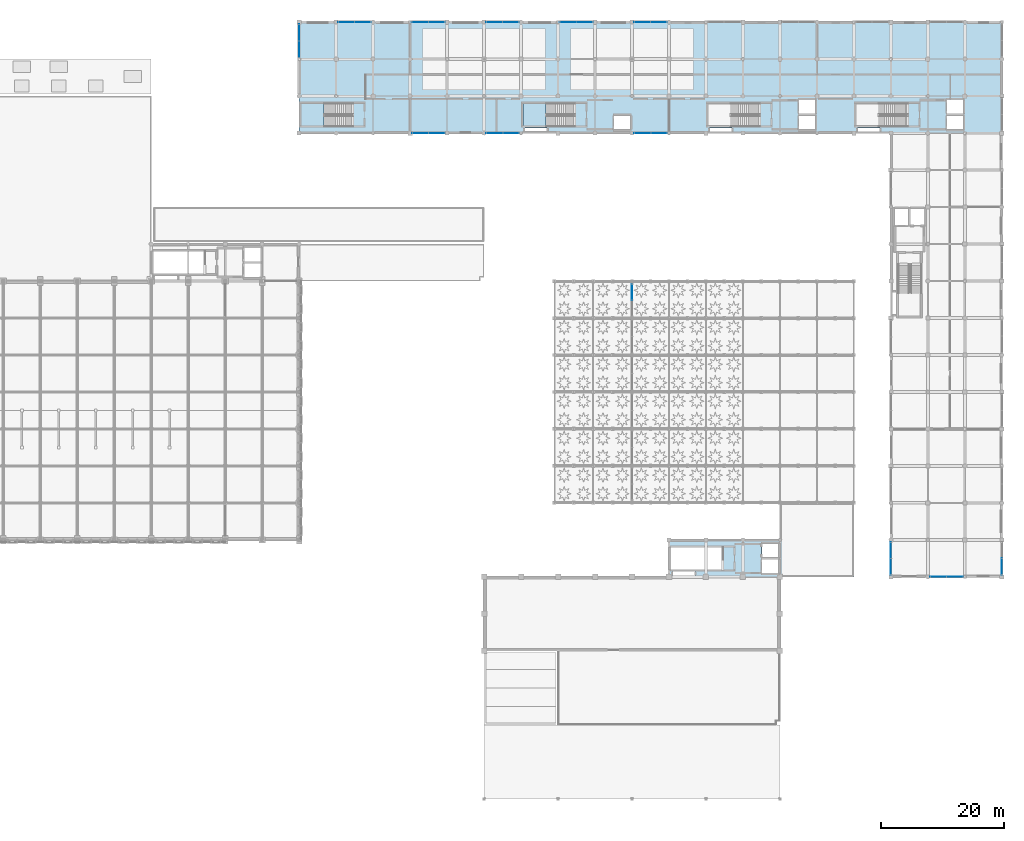
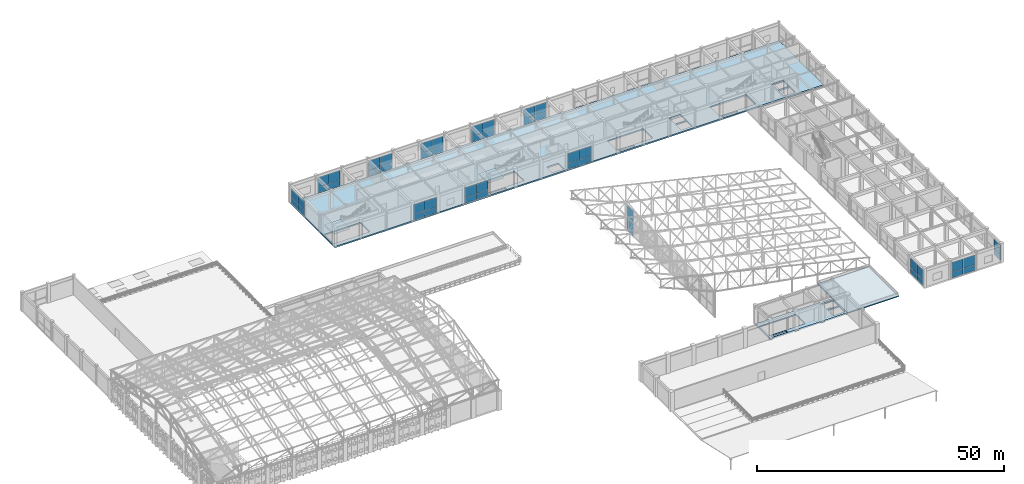
# One storey, part 83 of 112: 48 plates, 5 slabs, 15 elements without a shape of their own.
"""IFC4 building model written with IfcOpenShell, lengths in metres."""

from ifc_helpers import new_model, si_unit, direction, frame, frame_2d, origin, place, context, subcontext, project, spatial, polyline, rectangle, outline, extrude, material, layer, layer_set, type_object, element, aggregate, save


model = new_model("IFC4")

# Units and contexts
model_context = context("Model", 3, precision=1e-05, world=origin(), true_north=direction((0.0, 1.0)))
body_context = subcontext(model_context, "Body", "Model", "MODEL_VIEW")
ifc_project = project(units=[si_unit("LENGTHUNIT", "METRE"), si_unit("AREAUNIT", "SQUARE_METRE"), si_unit("VOLUMEUNIT", "CUBIC_METRE"), si_unit("PLANEANGLEUNIT", "RADIAN"), si_unit("MASSUNIT", "GRAM", prefix="KILO"), si_unit("THERMODYNAMICTEMPERATUREUNIT", "KELVIN"), si_unit("POWERUNIT", "WATT")], contexts=[model_context])

# Site, building, storey
site_placement = place(None, origin())
site = spatial("IfcSite", under=ifc_project, at=site_placement, CompositionType="ELEMENT")
building_placement = place(site_placement, origin())
building = spatial("IfcBuilding", under=site, at=building_placement, Name="Phaisarnlok Congress Hotel", CompositionType="ELEMENT")
storey_placement = place(building_placement, frame((0.0, 0.0, 19.800048828125)))
storey = spatial("IfcBuildingStorey", under=building, at=storey_placement, Name="L04", CompositionType="ELEMENT", Elevation=19.800048828125)

# Curtain wall, plates
ifc_material_1 = material(Name="Thermally Broken Unitised Aluminium & Low-E Glazing", Category="aluminium")
curtain_wall_type_1 = type_object("IfcCurtainWallType", Name="CW-UNIT-33", PredefinedType="NOTDEFINED", material=ifc_material_1)
curtain_wall_1_placement = place(storey_placement, origin())
curtain_wall_1 = element("IfcCurtainWall", 1, at=curtain_wall_1_placement, inside=storey, type_object=curtain_wall_type_1, Name="Unitised curtain wall CW-33 (L04)", PredefinedType="NOTDEFINED")
ifc_material_2 = material(Name="Double Low-E Insulated Glazing", Category="glass")
ifc_layer_1 = layer(ifc_material_2, 0.028076171875, Name="Double Low-E Insulated Glazing")
ifc_layer_set_1 = layer_set([ifc_layer_1], Name="Double Low-E Insulated Glazing")
plate_type_1 = type_object("IfcPlateType", Name="CWP-GLZ-28", PredefinedType="CURTAIN_PANEL", material=ifc_layer_set_1)
plate_1_placement = place(storey_placement, frame((84.375, 108.0, 0.0400390625), z_axis=(0.0, 0.0, 1.0), x_axis=(1.0, 0.0, 0.0)))
plate_1 = element("IfcPlate", 2, at=plate_1_placement, type_object=plate_type_1, Name="Glazed curtain panel CWP-01", PredefinedType="CURTAIN_PANEL", context=body_context, shape_type="SweptSolid", body=[
    extrude(rectangle(XDim=2.62255859375, YDim=0.028076171875, at=frame_2d((1.311279296875, 0.0))), origin(), (0.0, 0.0, 1.0), 1.44189453125),
])
plate_2_placement = place(storey_placement, frame((84.375, 108.0, 1.48193359375), z_axis=(0.0, 0.0, 1.0), x_axis=(1.0, 0.0, 0.0)))
plate_2 = element("IfcPlate", 3, at=plate_2_placement, type_object=plate_type_1, Name="Glazed curtain panel CWP-01", PredefinedType="CURTAIN_PANEL", context=body_context, shape_type="SweptSolid", body=[
    extrude(rectangle(XDim=2.62255859375, YDim=0.028076171875, at=frame_2d((1.311279296875, 0.0))), origin(), (0.0, 0.0, 1.0), 2.3779296875),
])
plate_3_placement = place(storey_placement, frame((87.027587890625, 108.0, 0.0400390625), z_axis=(0.0, 0.0, 1.0), x_axis=(1.0, 0.0, 0.0)))
plate_3 = element("IfcPlate", 4, at=plate_3_placement, type_object=plate_type_1, Name="Glazed curtain panel CWP-01", PredefinedType="CURTAIN_PANEL", context=body_context, shape_type="SweptSolid", body=[
    extrude(rectangle(XDim=2.622314453125, YDim=0.028076171875, at=frame_2d((1.31103515625, 0.0))), origin(), (0.0, 0.0, 1.0), 1.44189453125),
])
plate_4_placement = place(storey_placement, frame((87.027587890625, 108.0, 1.48193359375), z_axis=(0.0, 0.0, 1.0), x_axis=(1.0, 0.0, 0.0)))
plate_4 = element("IfcPlate", 5, at=plate_4_placement, type_object=plate_type_1, Name="Glazed curtain panel CWP-01", PredefinedType="CURTAIN_PANEL", context=body_context, shape_type="SweptSolid", body=[
    extrude(rectangle(XDim=2.622314453125, YDim=0.028076171875, at=frame_2d((1.31103515625, 0.0))), origin(), (0.0, 0.0, 1.0), 2.3779296875),
])
aggregate(curtain_wall_1, [plate_1, plate_2, plate_3, plate_4])

curtain_wall_type_2 = type_object("IfcCurtainWallType", Name="CW-UNIT-34", PredefinedType="NOTDEFINED", material=ifc_material_1)
curtain_wall_2_placement = place(storey_placement, origin())
curtain_wall_2 = element("IfcCurtainWall", 6, at=curtain_wall_2_placement, inside=storey, type_object=curtain_wall_type_2, Name="Unitised curtain wall CW-34 (L04)", PredefinedType="NOTDEFINED")
plate_5_placement = place(storey_placement, frame((96.375, 108.0, 0.0400390625), z_axis=(0.0, 0.0, 1.0), x_axis=(1.0, 0.0, 0.0)))
plate_5 = element("IfcPlate", 7, at=plate_5_placement, type_object=plate_type_1, Name="Glazed curtain panel CWP-01", PredefinedType="CURTAIN_PANEL", context=body_context, shape_type="SweptSolid", body=[
    extrude(rectangle(XDim=2.657958984375, YDim=0.028076171875, at=frame_2d((1.3291015625, 0.0))), origin(), (0.0, 0.0, 1.0), 1.44189453125),
])
plate_6_placement = place(storey_placement, frame((96.375, 108.0, 1.48193359375), z_axis=(0.0, 0.0, 1.0), x_axis=(1.0, 0.0, 0.0)))
plate_6 = element("IfcPlate", 8, at=plate_6_placement, type_object=plate_type_1, Name="Glazed curtain panel CWP-01", PredefinedType="CURTAIN_PANEL", context=body_context, shape_type="SweptSolid", body=[
    extrude(rectangle(XDim=2.657958984375, YDim=0.028076171875, at=frame_2d((1.3291015625, 0.0))), origin(), (0.0, 0.0, 1.0), 2.3779296875),
])
plate_7_placement = place(storey_placement, frame((99.06298828125, 108.0, 0.0400390625), z_axis=(0.0, 0.0, 1.0), x_axis=(1.0, 0.0, 0.0)))
plate_7 = element("IfcPlate", 9, at=plate_7_placement, type_object=plate_type_1, Name="Glazed curtain panel CWP-01", PredefinedType="CURTAIN_PANEL", context=body_context, shape_type="SweptSolid", body=[
    extrude(rectangle(XDim=2.657958984375, YDim=0.028076171875, at=frame_2d((1.3291015625, 0.0))), origin(), (0.0, 0.0, 1.0), 1.44189453125),
])
plate_8_placement = place(storey_placement, frame((99.06298828125, 108.0, 1.48193359375), z_axis=(0.0, 0.0, 1.0), x_axis=(1.0, 0.0, 0.0)))
plate_8 = element("IfcPlate", 10, at=plate_8_placement, type_object=plate_type_1, Name="Glazed curtain panel CWP-01", PredefinedType="CURTAIN_PANEL", context=body_context, shape_type="SweptSolid", body=[
    extrude(rectangle(XDim=2.657958984375, YDim=0.028076171875, at=frame_2d((1.3291015625, 0.0))), origin(), (0.0, 0.0, 1.0), 2.3779296875),
])
aggregate(curtain_wall_2, [plate_5, plate_6, plate_7, plate_8])

curtain_wall_3_placement = place(storey_placement, origin())
curtain_wall_3 = element("IfcCurtainWall", 11, at=curtain_wall_3_placement, inside=storey, type_object=curtain_wall_type_2, Name="Unitised curtain wall CW-34 (L04)", PredefinedType="NOTDEFINED")
plate_9_placement = place(storey_placement, frame((120.375, 108.0, 0.0400390625), z_axis=(0.0, 0.0, 1.0), x_axis=(1.0, 0.0, 0.0)))
plate_9 = element("IfcPlate", 12, at=plate_9_placement, type_object=plate_type_1, Name="Glazed curtain panel CWP-01", PredefinedType="CURTAIN_PANEL", context=body_context, shape_type="SweptSolid", body=[
    extrude(rectangle(XDim=2.657958984375, YDim=0.028076171875, at=frame_2d((1.3291015625, 0.0))), origin(), (0.0, 0.0, 1.0), 1.44189453125),
])
plate_10_placement = place(storey_placement, frame((120.375, 108.0, 1.48193359375), z_axis=(0.0, 0.0, 1.0), x_axis=(1.0, 0.0, 0.0)))
plate_10 = element("IfcPlate", 13, at=plate_10_placement, type_object=plate_type_1, Name="Glazed curtain panel CWP-01", PredefinedType="CURTAIN_PANEL", context=body_context, shape_type="SweptSolid", body=[
    extrude(rectangle(XDim=2.657958984375, YDim=0.028076171875, at=frame_2d((1.3291015625, 0.0))), origin(), (0.0, 0.0, 1.0), 2.3779296875),
])
plate_11_placement = place(storey_placement, frame((123.06298828125, 108.0, 0.0400390625), z_axis=(0.0, 0.0, 1.0), x_axis=(1.0, 0.0, 0.0)))
plate_11 = element("IfcPlate", 14, at=plate_11_placement, type_object=plate_type_1, Name="Glazed curtain panel CWP-01", PredefinedType="CURTAIN_PANEL", context=body_context, shape_type="SweptSolid", body=[
    extrude(rectangle(XDim=2.657958984375, YDim=0.028076171875, at=frame_2d((1.3291015625, 0.0))), origin(), (0.0, 0.0, 1.0), 1.44189453125),
])
plate_12_placement = place(storey_placement, frame((123.06298828125, 108.0, 1.48193359375), z_axis=(0.0, 0.0, 1.0), x_axis=(1.0, 0.0, 0.0)))
plate_12 = element("IfcPlate", 15, at=plate_12_placement, type_object=plate_type_1, Name="Glazed curtain panel CWP-01", PredefinedType="CURTAIN_PANEL", context=body_context, shape_type="SweptSolid", body=[
    extrude(rectangle(XDim=2.657958984375, YDim=0.028076171875, at=frame_2d((1.3291015625, 0.0))), origin(), (0.0, 0.0, 1.0), 2.3779296875),
])
aggregate(curtain_wall_3, [plate_9, plate_10, plate_11, plate_12])

curtain_wall_type_3 = type_object("IfcCurtainWallType", Name="CW-UNIT-35", PredefinedType="NOTDEFINED", material=ifc_material_1)
curtain_wall_4_placement = place(storey_placement, origin())
curtain_wall_4 = element("IfcCurtainWall", 16, at=curtain_wall_4_placement, inside=storey, type_object=curtain_wall_type_3, Name="Unitised curtain wall CW-35 (L04)", PredefinedType="NOTDEFINED")
plate_13_placement = place(storey_placement, frame((162.0, 41.625, 0.0400390625), z_axis=(0.0, 0.0, 1.0), x_axis=(0.0, -1.0, 0.0)))
plate_13 = element("IfcPlate", 17, at=plate_13_placement, type_object=plate_type_1, Name="Glazed curtain panel CWP-01", PredefinedType="CURTAIN_PANEL", context=body_context, shape_type="SweptSolid", body=[
    extrude(rectangle(XDim=2.62255859375, YDim=0.028076171875, at=frame_2d((1.311279296875, 0.0))), origin(), (0.0, 0.0, 1.0), 1.458984375),
])
plate_14_placement = place(storey_placement, frame((162.0, 41.625, 1.4990234375), z_axis=(0.0, 0.0, 1.0), x_axis=(0.0, -1.0, 0.0)))
plate_14 = element("IfcPlate", 18, at=plate_14_placement, type_object=plate_type_1, Name="Glazed curtain panel CWP-01", PredefinedType="CURTAIN_PANEL", context=body_context, shape_type="SweptSolid", body=[
    extrude(rectangle(XDim=2.62255859375, YDim=0.028076171875, at=frame_2d((1.311279296875, 0.0))), origin(), (0.0, 0.0, 1.0), 2.406005859375),
])
plate_15_placement = place(storey_placement, frame((162.0, 38.972412109375, 0.0400390625), z_axis=(0.0, 0.0, 1.0), x_axis=(0.0, -1.0, 0.0)))
plate_15 = element("IfcPlate", 19, at=plate_15_placement, type_object=plate_type_1, Name="Glazed curtain panel CWP-01", PredefinedType="CURTAIN_PANEL", context=body_context, shape_type="SweptSolid", body=[
    extrude(rectangle(XDim=2.622314453125, YDim=0.028076171875, at=frame_2d((1.31103515625, 0.0))), origin(), (0.0, 0.0, 1.0), 1.458984375),
])
plate_16_placement = place(storey_placement, frame((162.0, 38.972412109375, 1.4990234375), z_axis=(0.0, 0.0, 1.0), x_axis=(0.0, -1.0, 0.0)))
plate_16 = element("IfcPlate", 20, at=plate_16_placement, type_object=plate_type_1, Name="Glazed curtain panel CWP-01", PredefinedType="CURTAIN_PANEL", context=body_context, shape_type="SweptSolid", body=[
    extrude(rectangle(XDim=2.622314453125, YDim=0.028076171875, at=frame_2d((1.31103515625, 0.0))), origin(), (0.0, 0.0, 1.0), 2.406005859375),
])
aggregate(curtain_wall_4, [plate_13, plate_14, plate_15, plate_16])

curtain_wall_type_4 = type_object("IfcCurtainWallType", Name="CW-UNIT-36", PredefinedType="NOTDEFINED", material=ifc_material_1)
curtain_wall_5_placement = place(storey_placement, origin())
curtain_wall_5 = element("IfcCurtainWall", 21, at=curtain_wall_5_placement, inside=storey, type_object=curtain_wall_type_4, Name="Unitised curtain wall CW-36 (L04)", PredefinedType="NOTDEFINED")
plate_17_placement = place(storey_placement, frame((168.375, 36.0, 0.0400390625), z_axis=(0.0, 0.0, 1.0), x_axis=(1.0, 0.0, 0.0)))
plate_17 = element("IfcPlate", 22, at=plate_17_placement, type_object=plate_type_1, Name="Glazed curtain panel CWP-01", PredefinedType="CURTAIN_PANEL", context=body_context, shape_type="SweptSolid", body=[
    extrude(rectangle(XDim=2.657958984375, YDim=0.028076171875, at=frame_2d((1.3291015625, 0.0))), origin(), (0.0, 0.0, 1.0), 1.458984375),
])
plate_18_placement = place(storey_placement, frame((168.375, 36.0, 1.4990234375), z_axis=(0.0, 0.0, 1.0), x_axis=(1.0, 0.0, 0.0)))
plate_18 = element("IfcPlate", 23, at=plate_18_placement, type_object=plate_type_1, Name="Glazed curtain panel CWP-01", PredefinedType="CURTAIN_PANEL", context=body_context, shape_type="SweptSolid", body=[
    extrude(rectangle(XDim=2.657958984375, YDim=0.028076171875, at=frame_2d((1.3291015625, 0.0))), origin(), (0.0, 0.0, 1.0), 2.406005859375),
])
plate_19_placement = place(storey_placement, frame((171.06298828125, 36.0, 0.0400390625), z_axis=(0.0, 0.0, 1.0), x_axis=(1.0, 0.0, 0.0)))
plate_19 = element("IfcPlate", 24, at=plate_19_placement, type_object=plate_type_1, Name="Glazed curtain panel CWP-01", PredefinedType="CURTAIN_PANEL", context=body_context, shape_type="SweptSolid", body=[
    extrude(rectangle(XDim=2.657958984375, YDim=0.028076171875, at=frame_2d((1.3291015625, 0.0))), origin(), (0.0, 0.0, 1.0), 1.458984375),
])
plate_20_placement = place(storey_placement, frame((171.06298828125, 36.0, 1.4990234375), z_axis=(0.0, 0.0, 1.0), x_axis=(1.0, 0.0, 0.0)))
plate_20 = element("IfcPlate", 25, at=plate_20_placement, type_object=plate_type_1, Name="Glazed curtain panel CWP-01", PredefinedType="CURTAIN_PANEL", context=body_context, shape_type="SweptSolid", body=[
    extrude(rectangle(XDim=2.657958984375, YDim=0.028076171875, at=frame_2d((1.3291015625, 0.0))), origin(), (0.0, 0.0, 1.0), 2.406005859375),
])
aggregate(curtain_wall_5, [plate_17, plate_18, plate_19, plate_20])

curtain_wall_6_placement = place(storey_placement, origin())
curtain_wall_6 = element("IfcCurtainWall", 26, at=curtain_wall_6_placement, inside=storey, type_object=curtain_wall_type_3, Name="Unitised curtain wall CW-35 (L04)", PredefinedType="NOTDEFINED")
plate_21_placement = place(storey_placement, frame((180.0, 36.375, 0.0400390625), z_axis=(0.0, 0.0, 1.0), x_axis=(0.0, 1.0, 0.0)))
plate_21 = element("IfcPlate", 27, at=plate_21_placement, type_object=plate_type_1, Name="Glazed curtain panel CWP-01", PredefinedType="CURTAIN_PANEL", context=body_context, shape_type="SweptSolid", body=[
    extrude(rectangle(XDim=2.62255859375, YDim=0.028076171875, at=frame_2d((1.311279296875, 0.0))), origin(), (0.0, 0.0, 1.0), 1.458984375),
])
plate_22_placement = place(storey_placement, frame((180.0, 36.375, 1.4990234375), z_axis=(0.0, 0.0, 1.0), x_axis=(0.0, 1.0, 0.0)))
plate_22 = element("IfcPlate", 28, at=plate_22_placement, type_object=plate_type_1, Name="Glazed curtain panel CWP-01", PredefinedType="CURTAIN_PANEL", context=body_context, shape_type="SweptSolid", body=[
    extrude(rectangle(XDim=2.62255859375, YDim=0.028076171875, at=frame_2d((1.311279296875, 0.0))), origin(), (0.0, 0.0, 1.0), 2.406005859375),
])
aggregate(curtain_wall_6, [plate_21, plate_22])

curtain_wall_7_placement = place(storey_placement, origin())
curtain_wall_7 = element("IfcCurtainWall", 29, at=curtain_wall_7_placement, inside=storey, type_object=curtain_wall_type_1, Name="Unitised curtain wall CW-33 (L04)", PredefinedType="NOTDEFINED")
plate_23_placement = place(storey_placement, frame((125.625, 126.0, 0.0400390625), z_axis=(0.0, 0.0, 1.0), x_axis=(-1.0, 0.0, 0.0)))
plate_23 = element("IfcPlate", 30, at=plate_23_placement, type_object=plate_type_1, Name="Glazed curtain panel CWP-01", PredefinedType="CURTAIN_PANEL", context=body_context, shape_type="SweptSolid", body=[
    extrude(rectangle(XDim=2.62255859375, YDim=0.028076171875, at=frame_2d((1.311279296875, 0.0))), origin(), (0.0, 0.0, 1.0), 1.44189453125),
])
plate_24_placement = place(storey_placement, frame((125.625, 126.0, 1.48193359375), z_axis=(0.0, 0.0, 1.0), x_axis=(-1.0, 0.0, 0.0)))
plate_24 = element("IfcPlate", 31, at=plate_24_placement, type_object=plate_type_1, Name="Glazed curtain panel CWP-01", PredefinedType="CURTAIN_PANEL", context=body_context, shape_type="SweptSolid", body=[
    extrude(rectangle(XDim=2.62255859375, YDim=0.028076171875, at=frame_2d((1.311279296875, 0.0))), origin(), (0.0, 0.0, 1.0), 2.3779296875),
])
plate_25_placement = place(storey_placement, frame((122.972412109375, 126.0, 0.0400390625), z_axis=(0.0, 0.0, 1.0), x_axis=(-1.0, 0.0, 0.0)))
plate_25 = element("IfcPlate", 32, at=plate_25_placement, type_object=plate_type_1, Name="Glazed curtain panel CWP-01", PredefinedType="CURTAIN_PANEL", context=body_context, shape_type="SweptSolid", body=[
    extrude(rectangle(XDim=2.622314453125, YDim=0.028076171875, at=frame_2d((1.31103515625, 0.0))), origin(), (0.0, 0.0, 1.0), 1.44189453125),
])
plate_26_placement = place(storey_placement, frame((122.972412109375, 126.0, 1.48193359375), z_axis=(0.0, 0.0, 1.0), x_axis=(-1.0, 0.0, 0.0)))
plate_26 = element("IfcPlate", 33, at=plate_26_placement, type_object=plate_type_1, Name="Glazed curtain panel CWP-01", PredefinedType="CURTAIN_PANEL", context=body_context, shape_type="SweptSolid", body=[
    extrude(rectangle(XDim=2.622314453125, YDim=0.028076171875, at=frame_2d((1.31103515625, 0.0))), origin(), (0.0, 0.0, 1.0), 2.3779296875),
])
aggregate(curtain_wall_7, [plate_23, plate_24, plate_25, plate_26])

curtain_wall_8_placement = place(storey_placement, origin())
curtain_wall_8 = element("IfcCurtainWall", 34, at=curtain_wall_8_placement, inside=storey, type_object=curtain_wall_type_2, Name="Unitised curtain wall CW-34 (L04)", PredefinedType="NOTDEFINED")
plate_27_placement = place(storey_placement, frame((113.625, 126.0, 0.0400390625), z_axis=(0.0, 0.0, 1.0), x_axis=(-1.0, 0.0, 0.0)))
plate_27 = element("IfcPlate", 35, at=plate_27_placement, type_object=plate_type_1, Name="Glazed curtain panel CWP-01", PredefinedType="CURTAIN_PANEL", context=body_context, shape_type="SweptSolid", body=[
    extrude(rectangle(XDim=2.657958984375, YDim=0.028076171875, at=frame_2d((1.3291015625, 0.0))), origin(), (0.0, 0.0, 1.0), 1.44189453125),
])
plate_28_placement = place(storey_placement, frame((113.625, 126.0, 1.48193359375), z_axis=(0.0, 0.0, 1.0), x_axis=(-1.0, 0.0, 0.0)))
plate_28 = element("IfcPlate", 36, at=plate_28_placement, type_object=plate_type_1, Name="Glazed curtain panel CWP-01", PredefinedType="CURTAIN_PANEL", context=body_context, shape_type="SweptSolid", body=[
    extrude(rectangle(XDim=2.657958984375, YDim=0.028076171875, at=frame_2d((1.3291015625, 0.0))), origin(), (0.0, 0.0, 1.0), 2.3779296875),
])
plate_29_placement = place(storey_placement, frame((110.93701171875, 126.0, 0.0400390625), z_axis=(0.0, 0.0, 1.0), x_axis=(-1.0, 0.0, 0.0)))
plate_29 = element("IfcPlate", 37, at=plate_29_placement, type_object=plate_type_1, Name="Glazed curtain panel CWP-01", PredefinedType="CURTAIN_PANEL", context=body_context, shape_type="SweptSolid", body=[
    extrude(rectangle(XDim=2.657958984375, YDim=0.028076171875, at=frame_2d((1.3291015625, 0.0))), origin(), (0.0, 0.0, 1.0), 1.44189453125),
])
plate_30_placement = place(storey_placement, frame((110.93701171875, 126.0, 1.48193359375), z_axis=(0.0, 0.0, 1.0), x_axis=(-1.0, 0.0, 0.0)))
plate_30 = element("IfcPlate", 38, at=plate_30_placement, type_object=plate_type_1, Name="Glazed curtain panel CWP-01", PredefinedType="CURTAIN_PANEL", context=body_context, shape_type="SweptSolid", body=[
    extrude(rectangle(XDim=2.657958984375, YDim=0.028076171875, at=frame_2d((1.3291015625, 0.0))), origin(), (0.0, 0.0, 1.0), 2.3779296875),
])
aggregate(curtain_wall_8, [plate_27, plate_28, plate_29, plate_30])

curtain_wall_9_placement = place(storey_placement, origin())
curtain_wall_9 = element("IfcCurtainWall", 39, at=curtain_wall_9_placement, inside=storey, type_object=curtain_wall_type_1, Name="Unitised curtain wall CW-33 (L04)", PredefinedType="NOTDEFINED")
plate_31_placement = place(storey_placement, frame((101.625, 126.0, 0.0400390625), z_axis=(0.0, 0.0, 1.0), x_axis=(-1.0, 0.0, 0.0)))
plate_31 = element("IfcPlate", 40, at=plate_31_placement, type_object=plate_type_1, Name="Glazed curtain panel CWP-01", PredefinedType="CURTAIN_PANEL", context=body_context, shape_type="SweptSolid", body=[
    extrude(rectangle(XDim=2.62255859375, YDim=0.028076171875, at=frame_2d((1.311279296875, 0.0))), origin(), (0.0, 0.0, 1.0), 1.44189453125),
])
plate_32_placement = place(storey_placement, frame((101.625, 126.0, 1.48193359375), z_axis=(0.0, 0.0, 1.0), x_axis=(-1.0, 0.0, 0.0)))
plate_32 = element("IfcPlate", 41, at=plate_32_placement, type_object=plate_type_1, Name="Glazed curtain panel CWP-01", PredefinedType="CURTAIN_PANEL", context=body_context, shape_type="SweptSolid", body=[
    extrude(rectangle(XDim=2.62255859375, YDim=0.028076171875, at=frame_2d((1.311279296875, 0.0))), origin(), (0.0, 0.0, 1.0), 2.3779296875),
])
plate_33_placement = place(storey_placement, frame((98.972412109375, 126.0, 0.0400390625), z_axis=(0.0, 0.0, 1.0), x_axis=(-1.0, 0.0, 0.0)))
plate_33 = element("IfcPlate", 42, at=plate_33_placement, type_object=plate_type_1, Name="Glazed curtain panel CWP-01", PredefinedType="CURTAIN_PANEL", context=body_context, shape_type="SweptSolid", body=[
    extrude(rectangle(XDim=2.622314453125, YDim=0.028076171875, at=frame_2d((1.31103515625, 0.0))), origin(), (0.0, 0.0, 1.0), 1.44189453125),
])
plate_34_placement = place(storey_placement, frame((98.972412109375, 126.0, 1.48193359375), z_axis=(0.0, 0.0, 1.0), x_axis=(-1.0, 0.0, 0.0)))
plate_34 = element("IfcPlate", 43, at=plate_34_placement, type_object=plate_type_1, Name="Glazed curtain panel CWP-01", PredefinedType="CURTAIN_PANEL", context=body_context, shape_type="SweptSolid", body=[
    extrude(rectangle(XDim=2.622314453125, YDim=0.028076171875, at=frame_2d((1.31103515625, 0.0))), origin(), (0.0, 0.0, 1.0), 2.3779296875),
])
aggregate(curtain_wall_9, [plate_31, plate_32, plate_33, plate_34])

curtain_wall_10_placement = place(storey_placement, origin())
curtain_wall_10 = element("IfcCurtainWall", 44, at=curtain_wall_10_placement, inside=storey, type_object=curtain_wall_type_2, Name="Unitised curtain wall CW-34 (L04)", PredefinedType="NOTDEFINED")
plate_35_placement = place(storey_placement, frame((89.625, 126.0, 0.0400390625), z_axis=(0.0, 0.0, 1.0), x_axis=(-1.0, 0.0, 0.0)))
plate_35 = element("IfcPlate", 45, at=plate_35_placement, type_object=plate_type_1, Name="Glazed curtain panel CWP-01", PredefinedType="CURTAIN_PANEL", context=body_context, shape_type="SweptSolid", body=[
    extrude(rectangle(XDim=2.657958984375, YDim=0.028076171875, at=frame_2d((1.3291015625, 0.0))), origin(), (0.0, 0.0, 1.0), 1.44189453125),
])
plate_36_placement = place(storey_placement, frame((89.625, 126.0, 1.48193359375), z_axis=(0.0, 0.0, 1.0), x_axis=(-1.0, 0.0, 0.0)))
plate_36 = element("IfcPlate", 46, at=plate_36_placement, type_object=plate_type_1, Name="Glazed curtain panel CWP-01", PredefinedType="CURTAIN_PANEL", context=body_context, shape_type="SweptSolid", body=[
    extrude(rectangle(XDim=2.657958984375, YDim=0.028076171875, at=frame_2d((1.3291015625, 0.0))), origin(), (0.0, 0.0, 1.0), 2.3779296875),
])
plate_37_placement = place(storey_placement, frame((86.93701171875, 126.0, 0.0400390625), z_axis=(0.0, 0.0, 1.0), x_axis=(-1.0, 0.0, 0.0)))
plate_37 = element("IfcPlate", 47, at=plate_37_placement, type_object=plate_type_1, Name="Glazed curtain panel CWP-01", PredefinedType="CURTAIN_PANEL", context=body_context, shape_type="SweptSolid", body=[
    extrude(rectangle(XDim=2.657958984375, YDim=0.028076171875, at=frame_2d((1.3291015625, 0.0))), origin(), (0.0, 0.0, 1.0), 1.44189453125),
])
plate_38_placement = place(storey_placement, frame((86.93701171875, 126.0, 1.48193359375), z_axis=(0.0, 0.0, 1.0), x_axis=(-1.0, 0.0, 0.0)))
plate_38 = element("IfcPlate", 48, at=plate_38_placement, type_object=plate_type_1, Name="Glazed curtain panel CWP-01", PredefinedType="CURTAIN_PANEL", context=body_context, shape_type="SweptSolid", body=[
    extrude(rectangle(XDim=2.657958984375, YDim=0.028076171875, at=frame_2d((1.3291015625, 0.0))), origin(), (0.0, 0.0, 1.0), 2.3779296875),
])
aggregate(curtain_wall_10, [plate_35, plate_36, plate_37, plate_38])

curtain_wall_11_placement = place(storey_placement, origin())
curtain_wall_11 = element("IfcCurtainWall", 49, at=curtain_wall_11_placement, inside=storey, type_object=curtain_wall_type_1, Name="Unitised curtain wall CW-33 (L04)", PredefinedType="NOTDEFINED")
plate_39_placement = place(storey_placement, frame((77.625, 126.0, 0.0400390625), z_axis=(0.0, 0.0, 1.0), x_axis=(-1.0, 0.0, 0.0)))
plate_39 = element("IfcPlate", 50, at=plate_39_placement, type_object=plate_type_1, Name="Glazed curtain panel CWP-01", PredefinedType="CURTAIN_PANEL", context=body_context, shape_type="SweptSolid", body=[
    extrude(rectangle(XDim=2.62255859375, YDim=0.028076171875, at=frame_2d((1.311279296875, 0.0))), origin(), (0.0, 0.0, 1.0), 1.44189453125),
])
plate_40_placement = place(storey_placement, frame((77.625, 126.0, 1.48193359375), z_axis=(0.0, 0.0, 1.0), x_axis=(-1.0, 0.0, 0.0)))
plate_40 = element("IfcPlate", 51, at=plate_40_placement, type_object=plate_type_1, Name="Glazed curtain panel CWP-01", PredefinedType="CURTAIN_PANEL", context=body_context, shape_type="SweptSolid", body=[
    extrude(rectangle(XDim=2.62255859375, YDim=0.028076171875, at=frame_2d((1.311279296875, 0.0))), origin(), (0.0, 0.0, 1.0), 2.3779296875),
])
plate_41_placement = place(storey_placement, frame((74.972412109375, 126.0, 0.0400390625), z_axis=(0.0, 0.0, 1.0), x_axis=(-1.0, 0.0, 0.0)))
plate_41 = element("IfcPlate", 52, at=plate_41_placement, type_object=plate_type_1, Name="Glazed curtain panel CWP-01", PredefinedType="CURTAIN_PANEL", context=body_context, shape_type="SweptSolid", body=[
    extrude(rectangle(XDim=2.622314453125, YDim=0.028076171875, at=frame_2d((1.31103515625, 0.0))), origin(), (0.0, 0.0, 1.0), 1.44189453125),
])
plate_42_placement = place(storey_placement, frame((74.972412109375, 126.0, 1.48193359375), z_axis=(0.0, 0.0, 1.0), x_axis=(-1.0, 0.0, 0.0)))
plate_42 = element("IfcPlate", 53, at=plate_42_placement, type_object=plate_type_1, Name="Glazed curtain panel CWP-01", PredefinedType="CURTAIN_PANEL", context=body_context, shape_type="SweptSolid", body=[
    extrude(rectangle(XDim=2.622314453125, YDim=0.028076171875, at=frame_2d((1.31103515625, 0.0))), origin(), (0.0, 0.0, 1.0), 2.3779296875),
])
aggregate(curtain_wall_11, [plate_39, plate_40, plate_41, plate_42])

curtain_wall_type_5 = type_object("IfcCurtainWallType", Name="CW-UNIT-37", PredefinedType="NOTDEFINED", material=ifc_material_1)
curtain_wall_12_placement = place(storey_placement, origin())
curtain_wall_12 = element("IfcCurtainWall", 54, at=curtain_wall_12_placement, inside=storey, type_object=curtain_wall_type_5, Name="Unitised curtain wall CW-37 (L04)", PredefinedType="NOTDEFINED")
plate_43_placement = place(storey_placement, frame((66.0, 125.625, 0.0400390625), z_axis=(0.0, 0.0, 1.0), x_axis=(0.0, -1.0, 0.0)))
plate_43 = element("IfcPlate", 55, at=plate_43_placement, type_object=plate_type_1, Name="Glazed curtain panel CWP-01", PredefinedType="CURTAIN_PANEL", context=body_context, shape_type="SweptSolid", body=[
    extrude(rectangle(XDim=2.657958984375, YDim=0.028076171875, at=frame_2d((1.3291015625, 0.0))), origin(), (0.0, 0.0, 1.0), 1.385009765625),
])
plate_44_placement = place(storey_placement, frame((66.0, 125.625, 1.425048828125), z_axis=(0.0, 0.0, 1.0), x_axis=(0.0, -1.0, 0.0)))
plate_44 = element("IfcPlate", 56, at=plate_44_placement, type_object=plate_type_1, Name="Glazed curtain panel CWP-01", PredefinedType="CURTAIN_PANEL", context=body_context, shape_type="SweptSolid", body=[
    extrude(rectangle(XDim=2.657958984375, YDim=0.028076171875, at=frame_2d((1.3291015625, 0.0))), origin(), (0.0, 0.0, 1.0), 2.284912109375),
])
plate_45_placement = place(storey_placement, frame((66.0, 122.93701171875, 0.0400390625), z_axis=(0.0, 0.0, 1.0), x_axis=(0.0, -1.0, 0.0)))
plate_45 = element("IfcPlate", 57, at=plate_45_placement, type_object=plate_type_1, Name="Glazed curtain panel CWP-01", PredefinedType="CURTAIN_PANEL", context=body_context, shape_type="SweptSolid", body=[
    extrude(rectangle(XDim=2.657958984375, YDim=0.028076171875, at=frame_2d((1.3291015625, 0.0))), origin(), (0.0, 0.0, 1.0), 1.385009765625),
])
plate_46_placement = place(storey_placement, frame((66.0, 122.93701171875, 1.425048828125), z_axis=(0.0, 0.0, 1.0), x_axis=(0.0, -1.0, 0.0)))
plate_46 = element("IfcPlate", 58, at=plate_46_placement, type_object=plate_type_1, Name="Glazed curtain panel CWP-01", PredefinedType="CURTAIN_PANEL", context=body_context, shape_type="SweptSolid", body=[
    extrude(rectangle(XDim=2.657958984375, YDim=0.028076171875, at=frame_2d((1.3291015625, 0.0))), origin(), (0.0, 0.0, 1.0), 2.284912109375),
])
aggregate(curtain_wall_12, [plate_43, plate_44, plate_45, plate_46])

curtain_wall_type_6 = type_object("IfcCurtainWallType", Name="CW-UNIT-42", PredefinedType="NOTDEFINED", material=ifc_material_1)
curtain_wall_13_placement = place(storey_placement, origin())
curtain_wall_13 = element("IfcCurtainWall", 59, at=curtain_wall_13_placement, inside=storey, type_object=curtain_wall_type_6, Name="Unitised curtain wall CW-42 (L04)", PredefinedType="NOTDEFINED")
ifc_material_3 = material(Name="Triple Acoustic Solar-Control Glazing", Category="glass")
ifc_layer_2 = layer(ifc_material_3, 0.035888671875, Name="Triple Acoustic Solar-Control Glazing")
ifc_layer_set_2 = layer_set([ifc_layer_2], Name="Triple Acoustic Solar-Control Glazing")
plate_type_2 = type_object("IfcPlateType", Name="CWP-GLZ-36", PredefinedType="CURTAIN_PANEL", material=ifc_layer_set_2)
plate_47_placement = place(storey_placement, frame((120.0, 83.52001953125, 0.030029296875), z_axis=(0.0, 0.0, 1.0), x_axis=(0.0, -1.0, 0.0)))
plate_47 = element("IfcPlate", 60, at=plate_47_placement, type_object=plate_type_2, Name="Glazed curtain panel CWP-02", PredefinedType="CURTAIN_PANEL", context=body_context, shape_type="SweptSolid", body=[
    extrude(rectangle(XDim=2.614990234375, YDim=0.028076171875, at=frame_2d((1.3076171875, 0.0))), origin(), (0.0, 0.0, 1.0), 2.4033203125),
])
plate_48_placement = place(storey_placement, frame((120.0, 83.52001953125, 2.433349609375), z_axis=(0.0, 0.0, 1.0), x_axis=(0.0, -1.0, 0.0)))
plate_48 = element("IfcPlate", 61, at=plate_48_placement, type_object=plate_type_2, Name="Glazed curtain panel CWP-02", PredefinedType="CURTAIN_PANEL", context=body_context, shape_type="SweptSolid", body=[
    extrude(rectangle(XDim=2.614990234375, YDim=0.028076171875, at=frame_2d((1.3076171875, 0.0))), origin(), (0.0, 0.0, 1.0), 3.946533203125),
])
aggregate(curtain_wall_13, [plate_47, plate_48])

# Slabs
ifc_material_4 = material(Name="Concrete C40/50", Category="concrete")
ifc_layer_3 = layer(ifc_material_4, 0.35009765625, Name="Concrete C40/50")
ifc_layer_set_3 = layer_set([ifc_layer_3], Name="Concrete C40/50")
slab_type_1 = type_object("IfcSlabType", Name="SLB-INT-350", PredefinedType="FLOOR", material=ifc_layer_set_3)
slab_1_placement = place(storey_placement, frame((0.0, 0.0, -0.35009765625)))
element("IfcSlab", 62, at=slab_1_placement, inside=storey, type_object=slab_type_1, Name="Floor slab SL-INT-350 (L04 v4_e_core)", PredefinedType="FLOOR", context=body_context, shape_type="SweptSolid", body=[
    extrude(outline(polyline([(144.0, 36.0), (144.0, 42.0), (126.0, 42.0), (126.0, 36.0), (144.0, 36.0)]), holes=[polyline([(134.719970703125, 40.800048828125), (126.300048828125, 40.800048828125), (126.300048828125, 37.0), (134.719970703125, 37.0), (134.719970703125, 40.800048828125)]), polyline([(143.75, 36.60009765625), (143.75, 38.85009765625), (141.10009765625, 38.85009765625), (141.10009765625, 36.60009765625), (143.75, 36.60009765625)]), polyline([(143.75, 39.14990234375), (143.75, 41.39990234375), (141.10009765625, 41.39990234375), (141.10009765625, 39.14990234375), (143.75, 39.14990234375)]), polyline([(130.199951171875, 36.25), (130.199951171875, 36.85009765625), (126.60009765625, 36.85009765625), (126.60009765625, 36.25), (130.199951171875, 36.25)])]), origin(), (0.0, 0.0, 1.0), 0.35009765625),
])
slab_2_placement = place(storey_placement, frame((0.0, 0.0, -0.35009765625)))
element("IfcSlab", 63, at=slab_2_placement, inside=storey, type_object=slab_type_1, Name="Floor slab SL-INT-350 (L04 v5_n)", PredefinedType="FLOOR", context=body_context, shape_type="SweptSolid", body=[
    extrude(outline(polyline([(180.0, 108.0), (180.0, 126.0), (66.0, 126.0), (66.0, 108.0), (180.0, 108.0)]), holes=[polyline([(164.719970703125, 112.800048828125), (156.300048828125, 112.800048828125), (156.300048828125, 109.0), (164.719970703125, 109.0), (164.719970703125, 112.800048828125)]), polyline([(140.719970703125, 112.800048828125), (132.300048828125, 112.800048828125), (132.300048828125, 109.0), (140.719970703125, 109.0), (140.719970703125, 112.800048828125)]), polyline([(110.719970703125, 112.800048828125), (102.300048828125, 112.800048828125), (102.300048828125, 109.0), (110.719970703125, 109.0), (110.719970703125, 112.800048828125)]), polyline([(74.719970703125, 112.800048828125), (66.300048828125, 112.800048828125), (66.300048828125, 109.0), (74.719970703125, 109.0), (74.719970703125, 112.800048828125)]), polyline([(173.75, 108.60009765625), (173.75, 110.85009765625), (171.10009765625, 110.85009765625), (171.10009765625, 108.60009765625), (173.75, 108.60009765625)]), polyline([(173.75, 111.14990234375), (173.75, 113.39990234375), (171.10009765625, 113.39990234375), (171.10009765625, 111.14990234375), (173.75, 111.14990234375)]), polyline([(160.199951171875, 108.25), (160.199951171875, 108.85009765625), (156.60009765625, 108.85009765625), (156.60009765625, 108.25), (160.199951171875, 108.25)]), polyline([(149.75, 108.60009765625), (149.75, 110.85009765625), (147.10009765625, 110.85009765625), (147.10009765625, 108.60009765625), (149.75, 108.60009765625)]), polyline([(149.75, 111.14990234375), (149.75, 113.39990234375), (147.10009765625, 113.39990234375), (147.10009765625, 111.14990234375), (149.75, 111.14990234375)]), polyline([(136.199951171875, 108.25), (136.199951171875, 108.85009765625), (132.60009765625, 108.85009765625), (132.60009765625, 108.25), (136.199951171875, 108.25)]), polyline([(119.75, 108.60009765625), (119.75, 110.85009765625), (117.10009765625, 110.85009765625), (117.10009765625, 108.60009765625), (119.75, 108.60009765625)]), polyline([(106.199951171875, 108.25), (106.199951171875, 108.85009765625), (102.60009765625, 108.85009765625), (102.60009765625, 108.25), (106.199951171875, 108.25)])]), origin(), (0.0, 0.0, 1.0), 0.35009765625),
])

# Stair, slab
stair_type = type_object("IfcStairType", Name="STR-DOG-01", PredefinedType="HALF_TURN_STAIR", material=ifc_material_4)
stair_1_placement = place(storey_placement, origin())
stair_1 = element("IfcStair", 64, at=stair_1_placement, inside=storey, type_object=stair_type, Name="L04 ST-07", PredefinedType="HALF_TURN_STAIR")
ifc_layer_4 = layer(ifc_material_4, 0.199951171875, Name="Concrete C40/50")
ifc_layer_set_4 = layer_set([ifc_layer_4], Name="Concrete C40/50")
slab_type_2 = type_object("IfcSlabType", Name="SLB-LND-200", PredefinedType="LANDING", material=ifc_layer_set_4)
slab_3_placement = place(storey_placement, frame((0.0, 0.0, 2.199951171875)))
slab_3 = element("IfcSlab", 65, at=slab_3_placement, type_object=slab_type_2, Name="ST-07 landing 1", PredefinedType="LANDING", context=body_context, shape_type="SweptSolid", body=[
    extrude(outline(polyline([(106.070068359375, 112.800048828125), (102.300048828125, 112.800048828125), (102.300048828125, 109.0), (106.070068359375, 109.0), (106.070068359375, 112.800048828125)])), origin(), (0.0, 0.0, 1.0), 0.199951171875),
])
aggregate(stair_1, [slab_3])

stair_2_placement = place(storey_placement, origin())
stair_2 = element("IfcStair", 66, at=stair_2_placement, inside=storey, type_object=stair_type, Name="L04 ST-10", PredefinedType="HALF_TURN_STAIR")
slab_4_placement = place(storey_placement, frame((0.0, 0.0, 2.199951171875)))
slab_4 = element("IfcSlab", 67, at=slab_4_placement, type_object=slab_type_2, Name="ST-10 landing 1", PredefinedType="LANDING", context=body_context, shape_type="SweptSolid", body=[
    extrude(outline(polyline([(70.070068359375, 112.800048828125), (66.300048828125, 112.800048828125), (66.300048828125, 109.0), (70.070068359375, 109.0), (70.070068359375, 112.800048828125)])), origin(), (0.0, 0.0, 1.0), 0.199951171875),
])
aggregate(stair_2, [slab_4])

# Slab
ifc_layer_5 = layer(ifc_material_4, 0.239990234375, Name="Concrete C40/50")
ifc_layer_set_5 = layer_set([ifc_layer_5], Name="Concrete C40/50")
slab_type_3 = type_object("IfcSlabType", Name="SLB-ROOF-240", PredefinedType="ROOF", material=ifc_layer_set_5)
slab_5_placement = place(storey_placement, frame((0.0, 0.0, -0.239990234375)))
element("IfcSlab", 68, at=slab_5_placement, inside=storey, type_object=slab_type_3, Name="Podium setback roof slab SL-ROOF-240 (L04 pod_sec_se)", PredefinedType="ROOF", context=body_context, shape_type="SweptSolid", body=[
    extrude(outline(polyline([(144.0, 36.0), (156.0, 36.0), (156.0, 48.0), (144.0, 48.0), (144.0, 36.0)])), origin(), (0.0, 0.0, 1.0), 0.239990234375),
])

save(model, "model.ifc")
